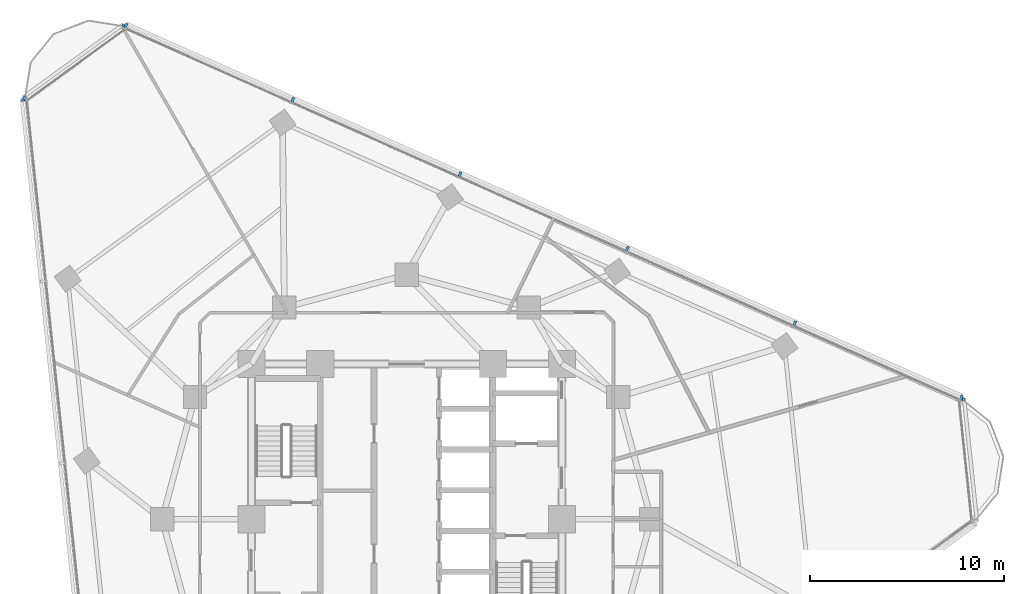
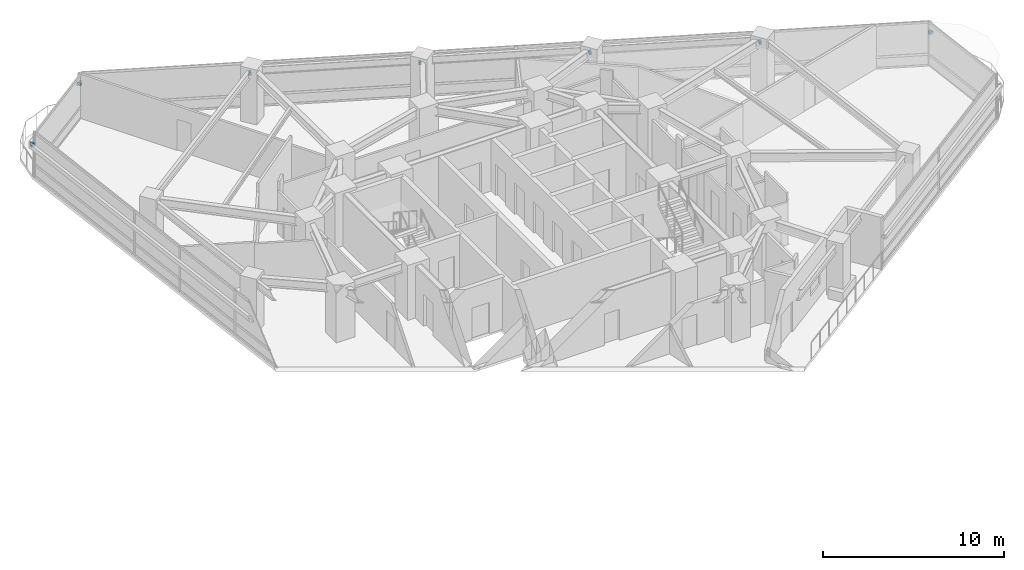
# One storey, part 11 of 14: 10 discrete accessories.
"""IFC4 building model written with IfcOpenShell, lengths in metres."""

from ifc_helpers import new_model, si_unit, direction, frame, origin, origin_2d, place, context, subcontext, project, spatial, rectangle, extrude, material, type_object, element, save


model = new_model("IFC4")

# Units and contexts
model_context = context("Model", 3, precision=1e-05, world=origin(), true_north=direction((0.0, 1.0)))
body_context = subcontext(model_context, "Body", "Model", "MODEL_VIEW")
ifc_project = project(units=[si_unit("LENGTHUNIT", "METRE"), si_unit("AREAUNIT", "SQUARE_METRE"), si_unit("VOLUMEUNIT", "CUBIC_METRE"), si_unit("PLANEANGLEUNIT", "RADIAN"), si_unit("MASSUNIT", "GRAM", prefix="KILO")], contexts=[model_context])

# Site, building, storey
site_placement = place(None, origin())
site = spatial("IfcSite", under=ifc_project, at=site_placement, CompositionType="ELEMENT")
building_placement = place(site_placement, origin())
building = spatial("IfcBuilding", under=site, at=building_placement, Name="Terralouvre Media Tower", CompositionType="ELEMENT")
storey_placement = place(building_placement, frame((0.0, 0.0, 158.300048828125)))
storey = spatial("IfcBuildingStorey", under=building, at=storey_placement, Name="L40", CompositionType="ELEMENT", Elevation=158.300048828125)

# Discrete accessories
ifc_material = material(Name="Anodised extruded aluminium 6063-T6", Category="aluminium")
discrete_accessory_type = type_object("IfcDiscreteAccessoryType", Name="Mullion Stand-Off Baguette Fixing Bracket BK-01", PredefinedType="BRACKET", material=ifc_material)
for number, where, z_axis, x_axis, name in (
    (1, (28.588623046875, 6.280517578125, 2.07421875), (0.0, 0.0, 1.0), (-0.913545469547, 0.406736616337, 0.0), "CW-L40-F1 Baguette Outrigger Bracket 1.01"),
    (2, (19.9990234375, 10.104736328125, 2.07421875), (0.0, 0.0, 1.0), (-0.913545469547, 0.406736616337, 0.0), "CW-L40-F1 Baguette Outrigger Bracket 1.02"),
    (3, (11.375, 13.9443359375, 2.07421875), (0.0, 0.0, 1.0), (-0.913545469547, 0.406736616337, 0.0), "CW-L40-F1 Baguette Outrigger Bracket 1.03"),
    (4, (2.751220703125, 17.783935546875, 2.07421875), (0.0, 0.0, 1.0), (-0.913545469547, 0.406736616337, 0.0), "CW-L40-F1 Baguette Outrigger Bracket 1.04"),
    (5, (-5.87255859375, 21.62353515625, 2.07421875), (0.0, 0.0, 1.0), (-0.913545469547, 0.406736616337, 0.0), "CW-L40-F1 Baguette Outrigger Bracket 1.05"),
    (6, (-14.462158203125, 25.44775390625, 2.07421875), (0.0, 0.0, 1.0), (-0.913545469547, 0.406736616337, 0.0), "CW-L40-F1 Baguette Outrigger Bracket 1.06"),
    (7, (-19.7333984375, 21.6181640625, 2.07421875), (0.0, 0.0, 1.0), (0.104528376236, -0.994521904516, 0.0), "CW-L40-F2 Baguette Outrigger Bracket 1.01"),
    (8, (28.63037109375, 6.193359375, 2.07421875), (0.0, 0.0, 1.0), (-0.10452850319, 0.994521891172, 0.0), "CW-L40-C1 Baguette Outrigger Bracket 1.02"),
    (9, (-14.554931640625, 25.420654296875, 2.07421875), (0.0, 0.0, 1.0), (-0.809017438344, -0.587784641221, 0.0), "CW-L40-C2 Baguette Outrigger Bracket 1.01"),
    (10, (-19.678955078125, 21.697998046875, 2.07421875), (0.0, 0.0, 1.0), (-0.809017438344, -0.587784641221, 0.0), "CW-L40-C2 Baguette Outrigger Bracket 1.02"),
):
    element("IfcDiscreteAccessory", number, at=place(storey_placement, frame(where, z_axis=z_axis, x_axis=x_axis)), inside=storey, type_object=discrete_accessory_type, Name=name, PredefinedType="BRACKET", context=body_context, shape_type="SweptSolid", body=[
        extrude(rectangle(XDim=0.139892578125, YDim=0.239990234375, at=origin_2d()), origin(), (0.0, 0.0, 1.0), 0.179931640625),
    ])

save(model, "model.ifc")
